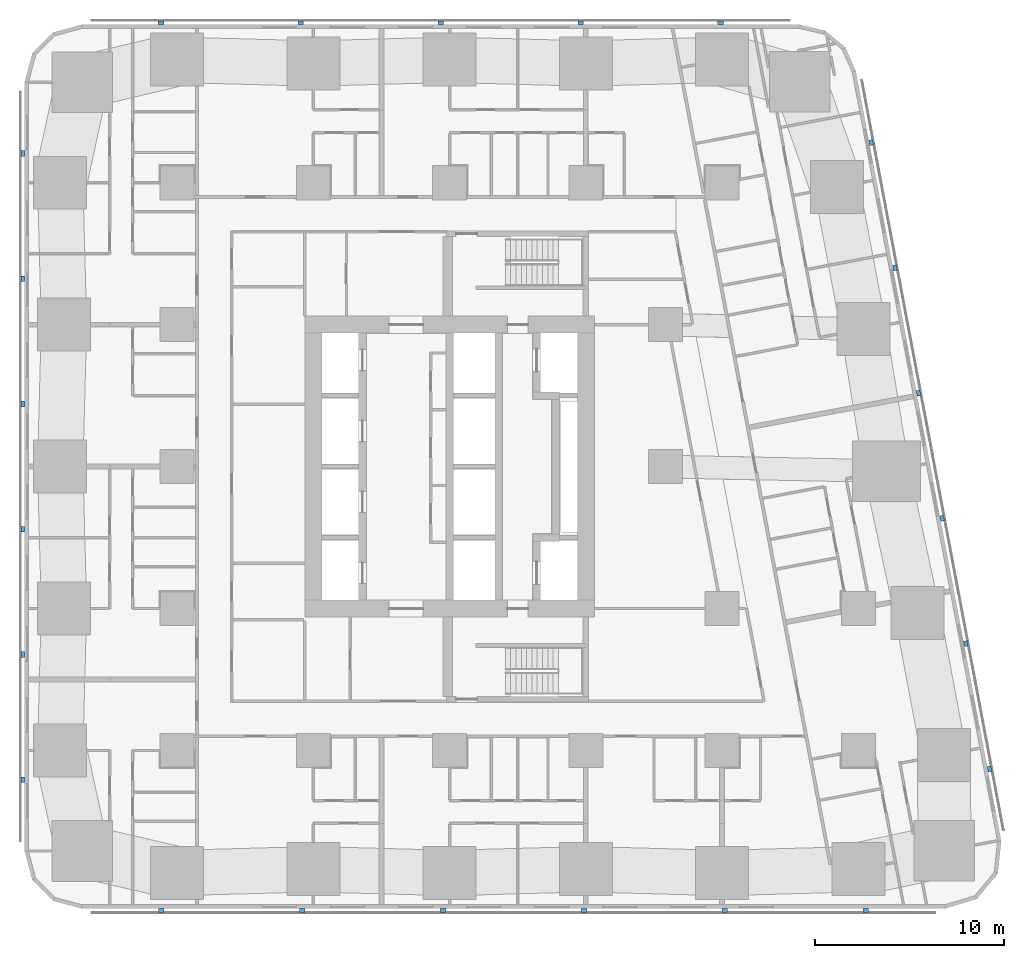
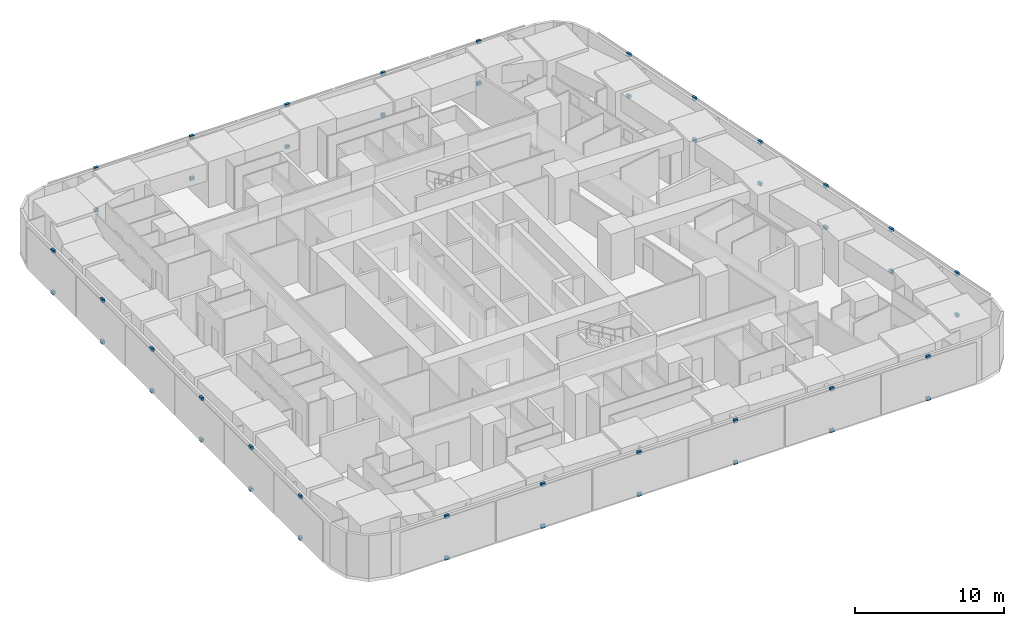
# One storey, part 12 of 16: 46 discrete accessories.
"""IFC4 building model written with IfcOpenShell, lengths in metres."""

from ifc_helpers import new_model, si_unit, direction, frame, origin, origin_2d, place, context, subcontext, project, spatial, rectangle, extrude, material, type_object, element, save


model = new_model("IFC4")

# Units and contexts
model_context = context("Model", 3, precision=1e-05, world=origin(), true_north=direction((0.0, 1.0)))
body_context = subcontext(model_context, "Body", "Model", "MODEL_VIEW")
ifc_project = project(units=[si_unit("LENGTHUNIT", "METRE"), si_unit("AREAUNIT", "SQUARE_METRE"), si_unit("VOLUMEUNIT", "CUBIC_METRE"), si_unit("PLANEANGLEUNIT", "RADIAN"), si_unit("MASSUNIT", "GRAM", prefix="KILO")], contexts=[model_context])

# Site, building, storey
site_placement = place(None, origin())
site = spatial("IfcSite", under=ifc_project, at=site_placement, CompositionType="ELEMENT")
building_placement = place(site_placement, origin())
building = spatial("IfcBuilding", under=site, at=building_placement, Name="Sheger Commons Tower", CompositionType="ELEMENT")
storey_placement = place(building_placement, frame((0.0, 0.0, 57.5)))
storey = spatial("IfcBuildingStorey", under=building, at=storey_placement, Name="L14", CompositionType="ELEMENT", Elevation=57.5)

# Discrete accessories
ifc_material = material(Name="Black painted steel bracket", Category="steel")
discrete_accessory_type = type_object("IfcDiscreteAccessoryType", Name="SCREEN BRACKET 300x200x250", PredefinedType="BRACKET", material=ifc_material)
for number, where, z_axis, x_axis, name in (
    (1, (6.37109375, -0.949951171875, -0.10009765625), (0.0, 0.0, 1.0), (1.0, 0.0, 0.0), "Solar screen foot bracket"),
    (2, (6.37109375, -0.949951171875, 3.300048828125), (0.0, 0.0, 1.0), (1.0, 0.0, 0.0), "Solar screen head bracket"),
    (3, (13.81396484375, -0.949951171875, -0.10009765625), (0.0, 0.0, 1.0), (1.0, 0.0, 0.0), "Solar screen foot bracket"),
    (4, (13.81396484375, -0.949951171875, 3.300048828125), (0.0, 0.0, 1.0), (1.0, 0.0, 0.0), "Solar screen head bracket"),
    (5, (21.257080078125, -0.949951171875, -0.10009765625), (0.0, 0.0, 1.0), (1.0, 0.0, 0.0), "Solar screen foot bracket"),
    (6, (21.257080078125, -0.949951171875, 3.300048828125), (0.0, 0.0, 1.0), (1.0, 0.0, 0.0), "Solar screen head bracket"),
    (7, (28.698974609375, -0.949951171875, -0.10009765625), (0.0, 0.0, 1.0), (1.0, 0.0, 0.0), "Solar screen foot bracket"),
    (8, (28.698974609375, -0.949951171875, 3.300048828125), (0.0, 0.0, 1.0), (1.0, 0.0, 0.0), "Solar screen head bracket"),
    (9, (36.14208984375, -0.949951171875, -0.10009765625), (0.0, 0.0, 1.0), (1.0, 0.0, 0.0), "Solar screen foot bracket"),
    (10, (36.14208984375, -0.949951171875, 3.300048828125), (0.0, 0.0, 1.0), (1.0, 0.0, 0.0), "Solar screen head bracket"),
    (11, (43.5849609375, -0.949951171875, -0.10009765625), (0.0, 0.0, 1.0), (1.0, 0.0, 0.0), "Solar screen foot bracket"),
    (12, (43.5849609375, -0.949951171875, 3.300048828125), (0.0, 0.0, 1.0), (1.0, 0.0, 0.0), "Solar screen head bracket"),
    (13, (50.134033203125, 6.527099609375, -0.10009765625), (0.0, 0.0, 1.0), (-0.185615165645, 0.982622516678, 0.0), "Solar screen foot bracket"),
    (14, (50.134033203125, 6.527099609375, 3.300048828125), (0.0, 0.0, 1.0), (-0.185615165645, 0.982622516678, 0.0), "Solar screen head bracket"),
    (15, (48.884033203125, 13.14599609375, -0.10009765625), (0.0, 0.0, 1.0), (-0.185615165645, 0.982622516678, 0.0), "Solar screen foot bracket"),
    (16, (48.884033203125, 13.14599609375, 3.300048828125), (0.0, 0.0, 1.0), (-0.185615165645, 0.982622516678, 0.0), "Solar screen head bracket"),
    (17, (47.633056640625, 19.76611328125, -0.10009765625), (0.0, 0.0, 1.0), (-0.185615165645, 0.982622516678, 0.0), "Solar screen foot bracket"),
    (18, (47.633056640625, 19.76611328125, 3.300048828125), (0.0, 0.0, 1.0), (-0.185615165645, 0.982622516678, 0.0), "Solar screen head bracket"),
    (19, (46.383056640625, 26.385009765625, -0.10009765625), (0.0, 0.0, 1.0), (-0.185615165645, 0.982622516678, 0.0), "Solar screen foot bracket"),
    (20, (46.383056640625, 26.385009765625, 3.300048828125), (0.0, 0.0, 1.0), (-0.185615165645, 0.982622516678, 0.0), "Solar screen head bracket"),
    (21, (45.133056640625, 33.0048828125, -0.10009765625), (0.0, 0.0, 1.0), (-0.185615165645, 0.982622516678, 0.0), "Solar screen foot bracket"),
    (22, (45.133056640625, 33.0048828125, 3.300048828125), (0.0, 0.0, 1.0), (-0.185615165645, 0.982622516678, 0.0), "Solar screen head bracket"),
    (23, (43.882080078125, 39.6240234375, -0.10009765625), (0.0, 0.0, 1.0), (-0.185615165645, 0.982622516678, 0.0), "Solar screen foot bracket"),
    (24, (43.882080078125, 39.6240234375, 3.300048828125), (0.0, 0.0, 1.0), (-0.185615165645, 0.982622516678, 0.0), "Solar screen head bracket"),
    (25, (35.9208984375, 45.949951171875, -0.10009765625), (0.0, 0.0, 1.0), (-1.0, 0.0, 0.0), "Solar screen foot bracket"),
    (26, (35.9208984375, 45.949951171875, 3.300048828125), (0.0, 0.0, 1.0), (-1.0, 0.0, 0.0), "Solar screen head bracket"),
    (27, (28.528076171875, 45.949951171875, -0.10009765625), (0.0, 0.0, 1.0), (-1.0, 0.0, 0.0), "Solar screen foot bracket"),
    (28, (28.528076171875, 45.949951171875, 3.300048828125), (0.0, 0.0, 1.0), (-1.0, 0.0, 0.0), "Solar screen head bracket"),
    (29, (21.134033203125, 45.949951171875, -0.10009765625), (0.0, 0.0, 1.0), (-1.0, 0.0, 0.0), "Solar screen foot bracket"),
    (30, (21.134033203125, 45.949951171875, 3.300048828125), (0.0, 0.0, 1.0), (-1.0, 0.0, 0.0), "Solar screen head bracket"),
    (31, (13.739990234375, 45.949951171875, -0.10009765625), (0.0, 0.0, 1.0), (-1.0, 0.0, 0.0), "Solar screen foot bracket"),
    (32, (13.739990234375, 45.949951171875, 3.300048828125), (0.0, 0.0, 1.0), (-1.0, 0.0, 0.0), "Solar screen head bracket"),
    (33, (6.346923828125, 45.949951171875, -0.10009765625), (0.0, 0.0, 1.0), (-1.0, 0.0, 0.0), "Solar screen foot bracket"),
    (34, (6.346923828125, 45.949951171875, 3.300048828125), (0.0, 0.0, 1.0), (-1.0, 0.0, 0.0), "Solar screen head bracket"),
    (35, (-0.949951171875, 39.0419921875, -0.10009765625), (0.0, 0.0, 1.0), (0.0, -1.0, 0.0), "Solar screen foot bracket"),
    (36, (-0.949951171875, 39.0419921875, 3.300048828125), (0.0, 0.0, 1.0), (0.0, -1.0, 0.0), "Solar screen head bracket"),
    (37, (-0.949951171875, 32.425048828125, -0.10009765625), (0.0, 0.0, 1.0), (0.0, -1.0, 0.0), "Solar screen foot bracket"),
    (38, (-0.949951171875, 32.425048828125, 3.300048828125), (0.0, 0.0, 1.0), (0.0, -1.0, 0.0), "Solar screen head bracket"),
    (39, (-0.949951171875, 25.80810546875, -0.10009765625), (0.0, 0.0, 1.0), (0.0, -1.0, 0.0), "Solar screen foot bracket"),
    (40, (-0.949951171875, 25.80810546875, 3.300048828125), (0.0, 0.0, 1.0), (0.0, -1.0, 0.0), "Solar screen head bracket"),
    (41, (-0.949951171875, 19.19189453125, -0.10009765625), (0.0, 0.0, 1.0), (0.0, -1.0, 0.0), "Solar screen foot bracket"),
    (42, (-0.949951171875, 19.19189453125, 3.300048828125), (0.0, 0.0, 1.0), (0.0, -1.0, 0.0), "Solar screen head bracket"),
    (43, (-0.949951171875, 12.574951171875, -0.10009765625), (0.0, 0.0, 1.0), (0.0, -1.0, 0.0), "Solar screen foot bracket"),
    (44, (-0.949951171875, 12.574951171875, 3.300048828125), (0.0, 0.0, 1.0), (0.0, -1.0, 0.0), "Solar screen head bracket"),
    (45, (-0.949951171875, 5.9580078125, -0.10009765625), (0.0, 0.0, 1.0), (0.0, -1.0, 0.0), "Solar screen foot bracket"),
    (46, (-0.949951171875, 5.9580078125, 3.300048828125), (0.0, 0.0, 1.0), (0.0, -1.0, 0.0), "Solar screen head bracket"),
):
    element("IfcDiscreteAccessory", number, at=place(storey_placement, frame(where, z_axis=z_axis, x_axis=x_axis)), inside=storey, type_object=discrete_accessory_type, Name=name, PredefinedType="BRACKET", context=body_context, shape_type="SweptSolid", body=[
        extrude(rectangle(XDim=0.300048828125, YDim=0.199951171875, at=origin_2d()), origin(), (0.0, 0.0, 1.0), 0.25),
    ])

save(model, "model.ifc")
